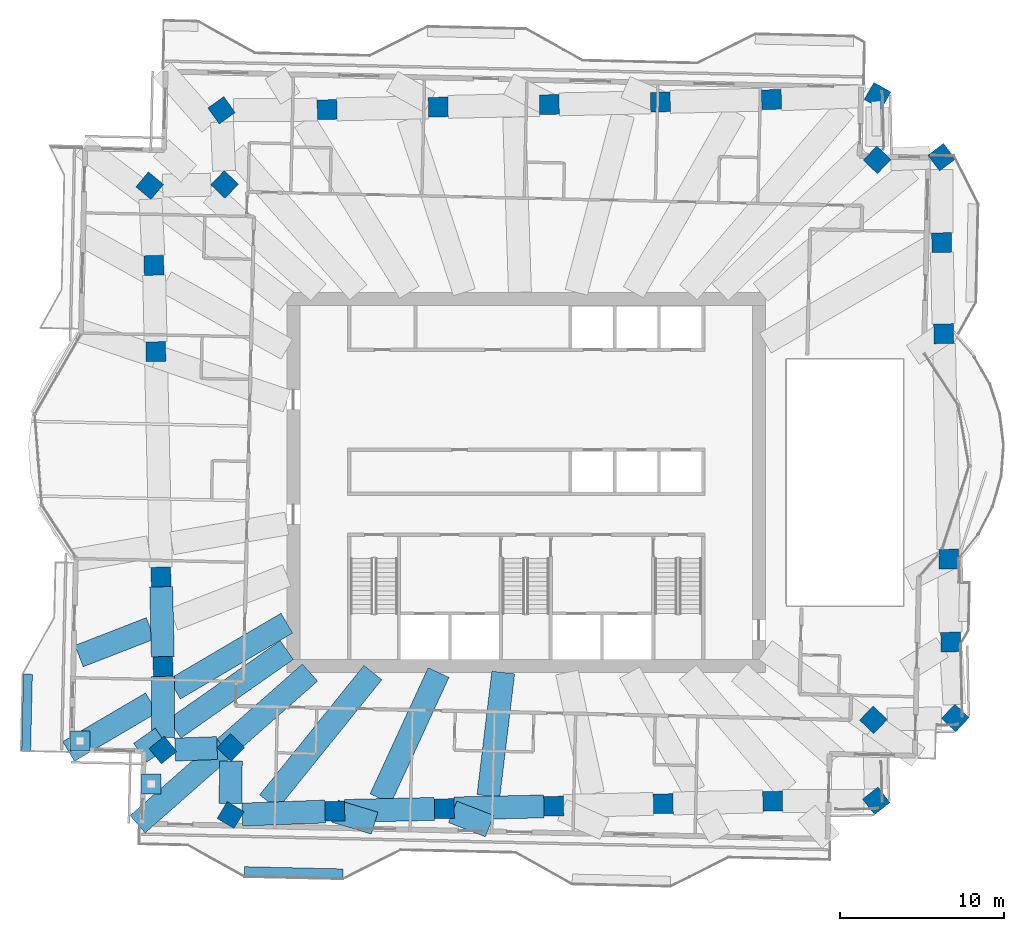
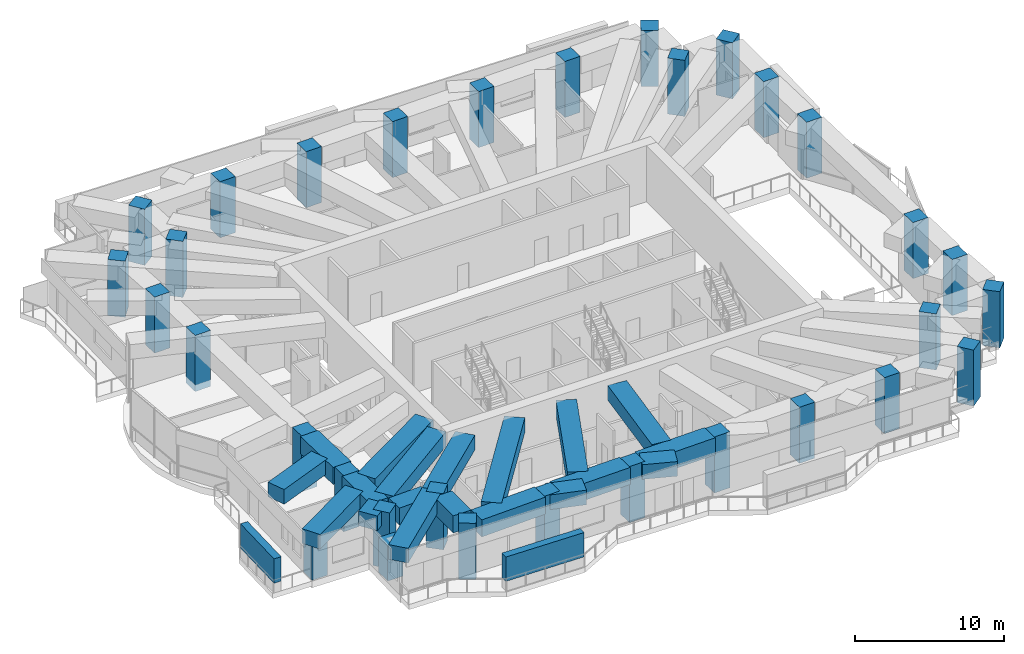
# One storey, part 1 of 19: 30 columns, 19 beams, 4 members.
"""IFC4 building model written with IfcOpenShell, lengths in metres."""

from ifc_helpers import new_model, si_unit, direction, frame, origin, origin_2d, place, context, subcontext, project, spatial, rectangle, extrude, material, material_profile, profile_set, type_object, element, save


model = new_model("IFC4")

# Units and contexts
model_context = context("Model", 3, precision=1e-05, world=origin(), true_north=direction((0.0, 1.0)))
body_context = subcontext(model_context, "Body", "Model", "MODEL_VIEW")
ifc_project = project(units=[si_unit("LENGTHUNIT", "METRE"), si_unit("AREAUNIT", "SQUARE_METRE"), si_unit("VOLUMEUNIT", "CUBIC_METRE"), si_unit("PLANEANGLEUNIT", "RADIAN"), si_unit("MASSUNIT", "GRAM", prefix="KILO")], contexts=[model_context])

# Site, building, storey
site_placement = place(None, origin())
site = spatial("IfcSite", under=ifc_project, at=site_placement, CompositionType="ELEMENT")
building_placement = place(site_placement, origin())
building = spatial("IfcBuilding", under=site, at=building_placement, Name="Mangrove Gate Tower", CompositionType="ELEMENT")
storey_placement = place(building_placement, frame((0.0, 0.0, 193.300048828125)))
storey = spatial("IfcBuildingStorey", under=building, at=storey_placement, Name="L49", CompositionType="ELEMENT", Elevation=193.300048828125)

# Columns
ifc_material_1 = material(Name="Concrete C60/75", Category="concrete")
ifc_material_profile_1 = material_profile(ifc_material_1, rectangle(XDim=1.199951171875, YDim=1.199951171875, at=origin_2d()))
ifc_profile_set_1 = profile_set([ifc_material_profile_1], Name="Concrete C60/75")
column_type = type_object("IfcColumnType", Name="Column RC 1200x1200 C60/75", PredefinedType="COLUMN", material=ifc_profile_set_1)
for number, where, z_axis, x_axis, name in (
    (1, (-22.278076171875, -5.769287109375, -0.550048828125), (0.0, 0.0, 1.0), (0.022693021881, -0.999742480221, 0.0), "Column L49 W05"),
    (2, (-22.154052734375, -11.2294921875, -0.550048828125), (0.0, 0.0, 1.0), (0.022702688514, -0.999742260752, 0.0), "Column L49 W06"),
    (3, (-22.162841796875, -16.32763671875, -0.550048828125), (0.0, 0.0, 1.0), (0.627363756843, -0.778726342562, 0.0), "Column L49 W07"),
    (4, (-18.016357421875, -16.17529296875, -0.550048828125), (0.0, 0.0, 1.0), (0.722919671176, -0.69093208713, 0.0), "Column L49 W08"),
    (5, (-18.0283203125, -20.29296875, -0.550048828125), (0.0, 0.0, 1.0), (0.858408426084, -0.512966835213, 0.0), "Column L49 S01"),
    (6, (-11.670654296875, -20.05712890625, -0.550048828125), (0.0, 0.0, 1.0), (0.99974280054, 0.022678905801, 0.0), "Column L49 S02"),
    (7, (-4.99267578125, -19.9052734375, -0.550048828125), (0.0, 0.0, 1.0), (0.999741061935, 0.022755418739, 0.0), "Column L49 S03"),
    (8, (1.685302734375, -19.753173828125, -0.550048828125), (0.0, 0.0, 1.0), (0.99974280054, 0.022678905801, 0.0), "Column L49 S04"),
    (9, (8.364501953125, -19.60205078125, -0.550048828125), (0.0, 0.0, 1.0), (0.99974280054, 0.022678905801, 0.0), "Column L49 S05"),
    (10, (15.04248046875, -19.4501953125, -0.550048828125), (0.0, 0.0, 1.0), (0.999742762144, 0.022680598335, 0.0), "Column L49 S06"),
    (11, (21.36376953125, -19.427001953125, -0.550048828125), (0.0, 0.0, 1.0), (0.786796358031, 0.617212678895, 0.0), "Column L49 S07"),
    (12, (21.187255859375, -14.485595703125, -0.550048828125), (0.0, 0.0, 1.0), (0.690872556232, 0.722976563275, 0.0), "Column L49 E01"),
    (13, (26.1826171875, -14.375244140625, -0.550048828125), (0.0, 0.0, 1.0), (0.686359333294, 0.727262583666, 0.0), "Column L49 E02"),
    (14, (25.904052734375, -9.739501953125, -0.550048828125), (0.0, 0.0, 1.0), (-0.022618201372, 0.99974417576, 0.0), "Column L49 E03"),
    (15, (25.7900390625, -4.678466796875, -0.550048828125), (0.0, 0.0, 1.0), (-0.022642926354, 0.999743616077, 0.0), "Column L49 E04"),
    (16, (25.478271484375, 9.0693359375, -0.550048828125), (0.0, 0.0, 1.0), (-0.022730815961, 0.999741621623, 0.0), "Column L49 E05"),
    (17, (25.35107421875, 14.62939453125, -0.550048828125), (0.0, 0.0, 1.0), (-0.022743867649, 0.999741324786, 0.0), "Column L49 E06"),
    (18, (25.345947265625, 19.8427734375, -0.550048828125), (0.0, 0.0, 1.0), (-0.60202964529, 0.798473735443, 0.0), "Column L49 E07"),
    (19, (21.411376953125, 19.68017578125, -0.550048828125), (0.0, 0.0, 1.0), (-0.722837628433, 0.691017917945, 0.0), "Column L49 E08"),
    (20, (21.44287109375, 23.58935546875, -0.550048828125), (0.0, 0.0, 1.0), (-0.87259482079, 0.488444755045, 0.0), "Column L49 N01"),
    (21, (14.970703125, 23.359130859375, -0.550048828125), (0.0, 0.0, 1.0), (-0.99974202573, -0.022713035648, 0.0), "Column L49 N02"),
    (22, (8.192626953125, 23.205078125, -0.550048828125), (0.0, 0.0, 1.0), (-0.999741987673, -0.022714710732, 0.0), "Column L49 N03"),
    (23, (1.41455078125, 23.05126953125, -0.550048828125), (0.0, 0.0, 1.0), (-0.999741987673, -0.022714710732, 0.0), "Column L49 N04"),
    (24, (-5.363525390625, 22.897216796875, -0.550048828125), (0.0, 0.0, 1.0), (-0.99974369748, -0.022639331897, 0.0), "Column L49 N05"),
    (25, (-12.142333984375, 22.744140625, -0.550048828125), (0.0, 0.0, 1.0), (-0.99974369748, -0.022639331897, 0.0), "Column L49 N06"),
    (26, (-18.5859375, 22.701171875, -0.550048828125), (0.0, 0.0, 1.0), (-0.814549066691, -0.580094662924, 0.0), "Column L49 N07"),
    (27, (-18.396240234375, 18.176513671875, -0.550048828125), (0.0, 0.0, 1.0), (-0.690859559249, -0.722988982899, 0.0), "Column L49 W01"),
    (28, (-22.967529296875, 18.1025390625, -0.550048828125), (0.0, 0.0, 1.0), (-0.640873753585, -0.767646293527, 0.0), "Column L49 W02"),
    (29, (-22.709228515625, 13.239501953125, -0.550048828125), (0.0, 0.0, 1.0), (0.022613490188, -0.999744282335, 0.0), "Column L49 W03"),
    (30, (-22.590087890625, 7.978515625, -0.550048828125), (0.0, 0.0, 1.0), (0.022667651322, -0.999743055782, 0.0), "Column L49 W04"),
):
    element("IfcColumn", number, at=place(storey_placement, frame(where, z_axis=z_axis, x_axis=x_axis)), inside=storey, type_object=column_type, Name=name, PredefinedType="COLUMN", context=body_context, shape_type="SweptSolid", body=[
        extrude(rectangle(XDim=1.199951171875, YDim=1.199951171875, at=origin_2d()), origin(), (0.0, 0.0, 1.0), 4.60009765625),
    ])

# Members
ifc_material_2 = material(Name="Planting on aluminium trellis", Category="aluminium")
ifc_material_profile_2 = material_profile(ifc_material_2, rectangle(XDim=0.550048828125, YDim=2.0, at=origin_2d()))
ifc_profile_set_2 = profile_set([ifc_material_profile_2], Name="Planting on aluminium trellis")
member_type_1 = type_object("IfcMemberType", Name="Balcony greenery screen 550x2000", PredefinedType="USERDEFINED", material=ifc_profile_set_2)
member_1_placement = place(storey_placement, frame((-30.50390625, -16.39892578125, 1.800048828125), z_axis=(0.022750903005, 0.999741164708, 0.0), x_axis=(-0.999741164708, 0.022750903005, 0.0)))
element("IfcMember", 31, at=member_1_placement, inside=storey, type_object=member_type_1, Name="GREEN SCREEN L49 W1.1", ObjectType="PLANTING", PredefinedType="USERDEFINED", context=body_context, shape_type="SweptSolid", body=[
    extrude(rectangle(XDim=0.550048828125, YDim=2.0, at=origin_2d()), origin(), (0.0, 0.0, 1.0), 4.7001953125),
])
member_2_placement = place(storey_placement, frame((-17.179931640625, -23.718017578125, 1.800048828125), z_axis=(0.999743178102, -0.022662255828, 0.0), x_axis=(0.022662255828, 0.999743178102, 0.0)))
element("IfcMember", 32, at=member_2_placement, inside=storey, type_object=member_type_1, Name="GREEN SCREEN L49 S0.1", ObjectType="PLANTING", PredefinedType="USERDEFINED", context=body_context, shape_type="SweptSolid", body=[
    extrude(rectangle(XDim=0.550048828125, YDim=2.0, at=origin_2d()), origin(), (0.0, 0.0, 1.0), 6.00048828125),
])
ifc_material_3 = material(Name="Concrete C60/75", Category="concrete")
ifc_material_profile_3 = material_profile(ifc_material_3, rectangle(XDim=1.199951171875, YDim=1.199951171875, at=origin_2d()))
ifc_profile_set_3 = profile_set([ifc_material_profile_3], Name="Concrete C60/75")
member_type_2 = type_object("IfcMemberType", Name="Tip strut RC 1200x1200 C60/75", PredefinedType="BRACE", material=ifc_profile_set_3)
for number, where, z_axis, x_axis, name in (
    (33, (-27.210693359375, -15.78125, 0.0), (0.0, 0.0, 1.0), (1.0, 0.0, 0.0), "Tip strut L49 TS02"),
    (34, (-22.86767578125, -18.3955078125, 0.0), (0.0, 0.0, 1.0), (1.0, 0.0, 0.0), "Tip strut L49 TS04"),
):
    element("IfcMember", number, at=place(storey_placement, frame(where, z_axis=z_axis, x_axis=x_axis)), inside=storey, type_object=member_type_2, Name=name, PredefinedType="BRACE", context=body_context, shape_type="SweptSolid", body=[
        extrude(rectangle(XDim=1.199951171875, YDim=1.199951171875, at=origin_2d()), origin(), (0.0, 0.0, 1.0), 2.869873046875),
    ])

# Beams
ifc_material_4 = material(Name="Concrete C60/75", Category="concrete")
ifc_material_profile_4 = material_profile(ifc_material_4, rectangle(XDim=1.39990234375, YDim=1.199951171875, at=origin_2d()))
ifc_profile_set_4 = profile_set([ifc_material_profile_4], Name="Concrete C60/75")
beam_type_1 = type_object("IfcBeamType", Name="Transfer girder RC 1400x1200 C60/75", PredefinedType="BEAM", material=ifc_profile_set_4)
beam_1_placement = place(storey_placement, frame((-22.921630859375, -8.905517578125, 3.449951171875), z_axis=(-0.932127290007, -0.362130798502, 0.0), x_axis=(0.362130798502, -0.932127290007, 0.0)))
element("IfcBeam", 35, at=beam_1_placement, inside=storey, type_object=beam_type_1, Name="Transfer cantilever girder L49 01", PredefinedType="BEAM", context=body_context, shape_type="SweptSolid", body=[
    extrude(rectangle(XDim=1.39990234375, YDim=1.199951171875, at=origin_2d()), origin(), (0.0, 0.0, 1.0), 4.668701171875),
])
beam_2_placement = place(storey_placement, frame((-14.60009765625, -8.585693359375, 3.449951171875), z_axis=(-0.861991860239, -0.506922117175, 0.0), x_axis=(0.506922117175, -0.861991860239, 0.0)))
element("IfcBeam", 36, at=beam_2_placement, inside=storey, type_object=beam_type_1, Name="Transfer girder L49 02", PredefinedType="BEAM", context=body_context, shape_type="SweptSolid", body=[
    extrude(rectangle(XDim=1.39990234375, YDim=1.199951171875, at=origin_2d()), origin(), (0.0, 0.0, 1.0), 7.947021484375),
])
beam_3_placement = place(storey_placement, frame((-22.864013671875, -13.445556640625, 3.449951171875), z_axis=(-0.862009156131, -0.506892705359, 0.0), x_axis=(0.506892705359, -0.862009156131, 0.0)))
element("IfcBeam", 37, at=beam_3_placement, inside=storey, type_object=beam_type_1, Name="Transfer cantilever girder L49 02", PredefinedType="BEAM", context=body_context, shape_type="SweptSolid", body=[
    extrude(rectangle(XDim=1.39990234375, YDim=1.199951171875, at=origin_2d()), origin(), (0.0, 0.0, 1.0), 5.861572265625),
])
beam_4_placement = place(storey_placement, frame((-14.60009765625, -10.22509765625, 3.449951171875), z_axis=(-0.81909762663, -0.573654144977, 0.0), x_axis=(0.573654144977, -0.81909762663, 0.0)))
element("IfcBeam", 38, at=beam_4_placement, inside=storey, type_object=beam_type_1, Name="Transfer girder L49 03", PredefinedType="BEAM", context=body_context, shape_type="SweptSolid", body=[
    extrude(rectangle(XDim=1.39990234375, YDim=1.199951171875, at=origin_2d()), origin(), (0.0, 0.0, 1.0), 8.371337890625),
])
beam_5_placement = place(storey_placement, frame((-22.22705078125, -15.566650390625, 3.449951171875), z_axis=(-0.819025342625, -0.573757342557, 0.0), x_axis=(0.573757342557, -0.819025342625, 0.0)))
element("IfcBeam", 39, at=beam_5_placement, inside=storey, type_object=beam_type_1, Name="Transfer cantilever girder L49 03", PredefinedType="BEAM", context=body_context, shape_type="SweptSolid", body=[
    extrude(rectangle(XDim=1.39990234375, YDim=1.199951171875, at=origin_2d()), origin(), (0.0, 0.0, 1.0), 1.610595703125),
])
beam_6_placement = place(storey_placement, frame((-13.18505859375, -11.60009765625, 3.449951171875), z_axis=(-0.750799946267, -0.660529666772, 0.0), x_axis=(0.660529666772, -0.750799946267, 0.0)))
element("IfcBeam", 40, at=beam_6_placement, inside=storey, type_object=beam_type_1, Name="Transfer girder L49 04", PredefinedType="BEAM", context=body_context, shape_type="SweptSolid", body=[
    extrude(rectangle(XDim=1.39990234375, YDim=1.199951171875, at=origin_2d()), origin(), (0.0, 0.0, 1.0), 6.947998046875),
])
beam_7_placement = place(storey_placement, frame((-18.401611328125, -16.189453125, 3.449951171875), z_axis=(-0.750808102321, -0.660520395967, 0.0), x_axis=(0.660520395967, -0.750808102321, 0.0)))
element("IfcBeam", 41, at=beam_7_placement, inside=storey, type_object=beam_type_1, Name="Transfer cantilever girder L49 04", PredefinedType="BEAM", context=body_context, shape_type="SweptSolid", body=[
    extrude(rectangle(XDim=1.39990234375, YDim=1.199951171875, at=origin_2d()), origin(), (0.0, 0.0, 1.0), 7.065673828125),
])
beam_8_placement = place(storey_placement, frame((-9.348876953125, -11.60009765625, 3.449951171875), z_axis=(-0.62751199766, -0.778606892336, 0.0), x_axis=(0.778606892336, -0.62751199766, 0.0)))
element("IfcBeam", 42, at=beam_8_placement, inside=storey, type_object=beam_type_1, Name="Transfer girder L49 05", PredefinedType="BEAM", context=body_context, shape_type="SweptSolid", body=[
    extrude(rectangle(XDim=1.39990234375, YDim=1.199951171875, at=origin_2d()), origin(), (0.0, 0.0, 1.0), 10.142333984375),
])
beam_9_placement = place(storey_placement, frame((-5.341796875, -11.60009765625, 3.449951171875), z_axis=(-0.41828292417, -0.908316792396, 0.0), x_axis=(0.908316792396, -0.41828292417, 0.0)))
element("IfcBeam", 43, at=beam_9_placement, inside=storey, type_object=beam_type_1, Name="Transfer girder L49 06", PredefinedType="BEAM", context=body_context, shape_type="SweptSolid", body=[
    extrude(rectangle(XDim=1.39990234375, YDim=1.199951171875, at=origin_2d()), origin(), (0.0, 0.0, 1.0), 8.468994140625),
])
beam_10_placement = place(storey_placement, frame((-1.396240234375, -11.60009765625, 3.449951171875), z_axis=(-0.119505652442, -0.992833520302, 0.0), x_axis=(0.992833520302, -0.119505652442, 0.0)))
element("IfcBeam", 44, at=beam_10_placement, inside=storey, type_object=beam_type_1, Name="Transfer girder L49 07", PredefinedType="BEAM", context=body_context, shape_type="SweptSolid", body=[
    extrude(rectangle(XDim=1.39990234375, YDim=1.199951171875, at=origin_2d()), origin(), (0.0, 0.0, 1.0), 7.58544921875),
])
beam_11_placement = place(storey_placement, frame((-11.670654296875, -20.05712890625, 3.449951171875), z_axis=(0.957504661186, -0.288417793846, 0.0), x_axis=(0.288417793846, 0.957504661186, 0.0)))
element("IfcBeam", 45, at=beam_11_placement, inside=storey, type_object=beam_type_1, Name="Transfer edge girder L49 06", PredefinedType="BEAM", context=body_context, shape_type="SweptSolid", body=[
    extrude(rectangle(XDim=1.39990234375, YDim=1.199951171875, at=origin_2d()), origin(), (0.0, 0.0, 1.0), 2.53271484375),
])
beam_12_placement = place(storey_placement, frame((-4.48046875, -20.102294921875, 3.449951171875), z_axis=(0.93330644129, -0.35908089151, 0.0), x_axis=(0.35908089151, 0.93330644129, 0.0)))
element("IfcBeam", 46, at=beam_12_placement, inside=storey, type_object=beam_type_1, Name="Transfer edge girder L49 07", PredefinedType="BEAM", context=body_context, shape_type="SweptSolid", body=[
    extrude(rectangle(XDim=1.39990234375, YDim=1.199951171875, at=origin_2d()), origin(), (0.0, 0.0, 1.0), 2.41015625),
])
ifc_material_5 = material(Name="Concrete C60/75", Category="concrete")
ifc_material_profile_5 = material_profile(ifc_material_5, rectangle(XDim=1.39990234375, YDim=1.39990234375, at=origin_2d()))
ifc_profile_set_5 = profile_set([ifc_material_profile_5], Name="Concrete C60/75")
beam_type_2 = type_object("IfcBeamType", Name="Transfer girder RC 1400x1400 C60/75", PredefinedType="BEAM", material=ifc_profile_set_5)
beam_13_placement = place(storey_placement, frame((-22.2646484375, -6.369140625, 3.349853515625), z_axis=(0.022743528108, -0.99974133251, 0.0), x_axis=(0.99974133251, 0.022743528108, 0.0)))
element("IfcBeam", 47, at=beam_13_placement, inside=storey, type_object=beam_type_2, Name="Transfer ring girder L49 00", PredefinedType="BEAM", context=body_context, shape_type="SweptSolid", body=[
    extrude(rectangle(XDim=1.39990234375, YDim=1.39990234375, at=origin_2d()), origin(), (0.0, 0.0, 1.0), 4.26171875),
])
beam_14_placement = place(storey_placement, frame((-22.1552734375, -11.82958984375, 3.349853515625), z_axis=(-0.001637838474, -0.999998658742, 0.0), x_axis=(0.999998658742, -0.001637838474, 0.0)))
element("IfcBeam", 48, at=beam_14_placement, inside=storey, type_object=beam_type_2, Name="Transfer ring girder L49 01", PredefinedType="BEAM", context=body_context, shape_type="SweptSolid", body=[
    extrude(rectangle(XDim=1.39990234375, YDim=1.39990234375, at=origin_2d()), origin(), (0.0, 0.0, 1.0), 3.7265625),
])
beam_15_placement = place(storey_placement, frame((-21.414306640625, -16.300048828125, 3.349853515625), z_axis=(0.999327431399, 0.036669944824, 0.0), x_axis=(-0.036669944824, 0.999327431399, 0.0)))
element("IfcBeam", 49, at=beam_15_placement, inside=storey, type_object=beam_type_2, Name="Transfer ring girder L49 02", PredefinedType="BEAM", context=body_context, shape_type="SweptSolid", body=[
    extrude(rectangle(XDim=1.39990234375, YDim=1.39990234375, at=origin_2d()), origin(), (0.0, 0.0, 1.0), 2.563232421875),
])
beam_16_placement = place(storey_placement, frame((-18.018798828125, -17.0029296875, 3.349853515625), z_axis=(-0.002825379568, -0.999996008607, 0.0), x_axis=(0.999996008607, -0.002825379568, 0.0)))
element("IfcBeam", 50, at=beam_16_placement, inside=storey, type_object=beam_type_2, Name="Transfer ring girder L49 03", PredefinedType="BEAM", context=body_context, shape_type="SweptSolid", body=[
    extrude(rectangle(XDim=1.39990234375, YDim=1.39990234375, at=origin_2d()), origin(), (0.0, 0.0, 1.0), 2.59228515625),
])
beam_17_placement = place(storey_placement, frame((-17.3134765625, -20.266357421875, 3.349853515625), z_axis=(0.999313176036, 0.03705639216, 0.0), x_axis=(-0.03705639216, 0.999313176036, 0.0)))
element("IfcBeam", 51, at=beam_17_placement, inside=storey, type_object=beam_type_2, Name="Transfer ring girder L49 04", PredefinedType="BEAM", context=body_context, shape_type="SweptSolid", body=[
    extrude(rectangle(XDim=1.39990234375, YDim=1.39990234375, at=origin_2d()), origin(), (0.0, 0.0, 1.0), 5.046630859375),
])
for number, where, z_axis, x_axis, name in (
    (52, (-11.07080078125, -20.04345703125, 3.349853515625), (0.999740799445, 0.022766948104, 0.0), (-0.022766948104, 0.999740799445, 0.0), "Transfer ring girder L49 05"),
    (53, (-4.392822265625, -19.8916015625, 3.349853515625), (0.999740799445, 0.022766948104, 0.0), (-0.022766948104, 0.999740799445, 0.0), "Transfer ring girder L49 06"),
):
    element("IfcBeam", number, at=place(storey_placement, frame(where, z_axis=z_axis, x_axis=x_axis)), inside=storey, type_object=beam_type_2, Name=name, PredefinedType="BEAM", context=body_context, shape_type="SweptSolid", body=[
        extrude(rectangle(XDim=1.39990234375, YDim=1.39990234375, at=origin_2d()), origin(), (0.0, 0.0, 1.0), 5.479736328125),
    ])

save(model, "model.ifc")
